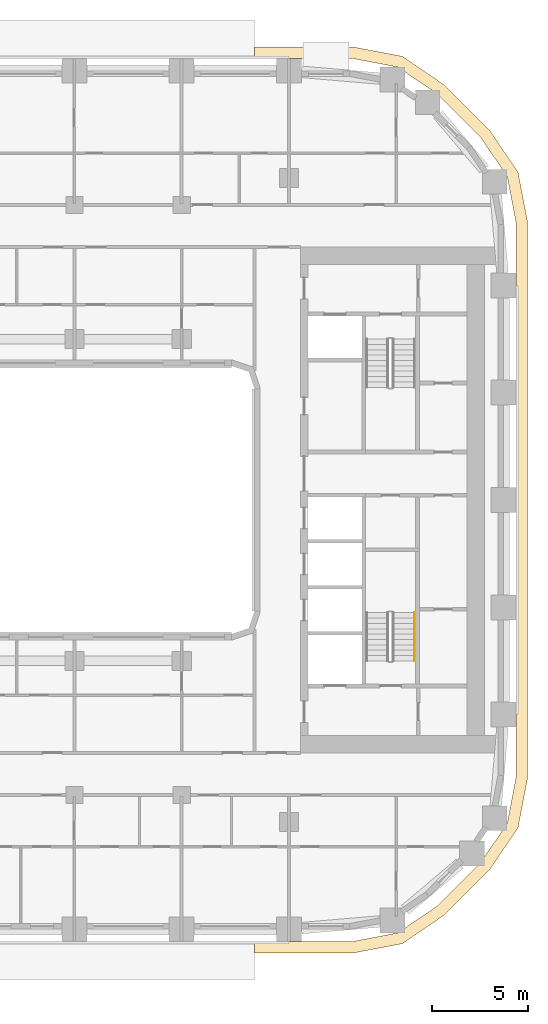
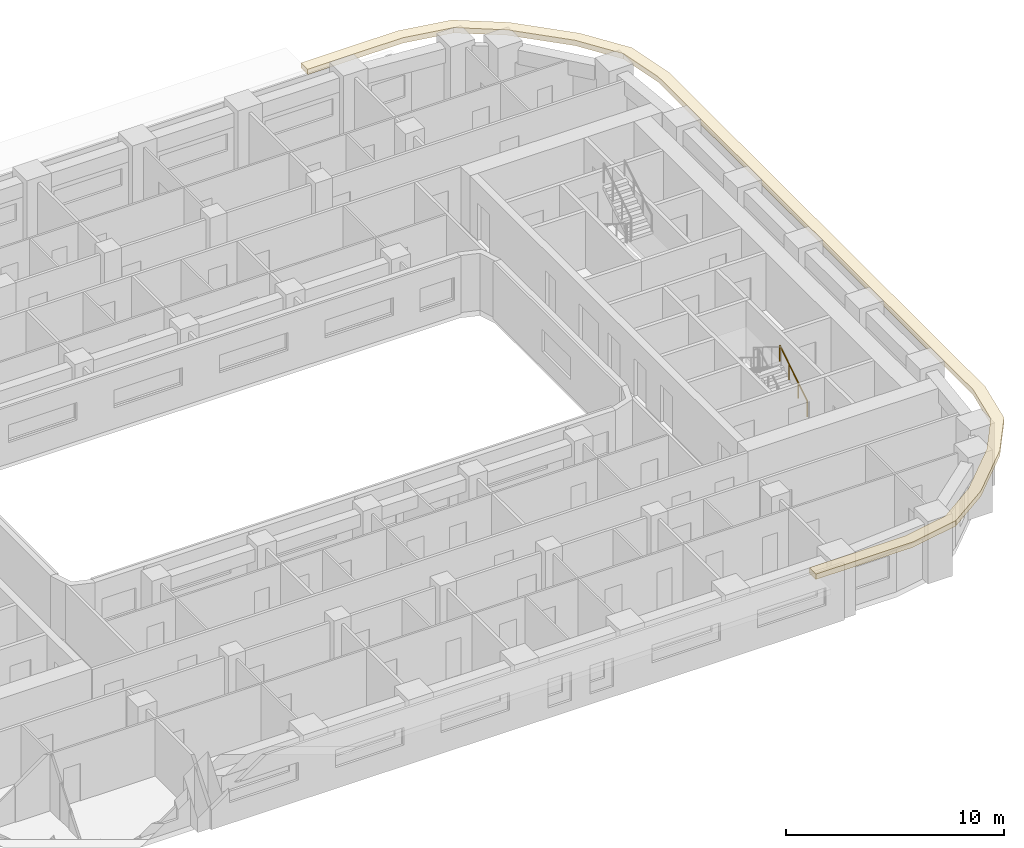
# One storey, part 17 of 21: 1 covering, 1 railing.
"""IFC4 building model written with IfcOpenShell, lengths in metres."""

from ifc_helpers import new_model, si_unit, direction, frame, origin, origin_2d, place, context, subcontext, project, spatial, polyline, circle, outline, extrude, material, layer, layer_set, type_object, element, save


model = new_model("IFC4")

# Units and contexts
model_context = context("Model", 3, precision=1e-05, world=origin(), true_north=direction((0.0, 1.0)))
body_context = subcontext(model_context, "Body", "Model", "MODEL_VIEW")
ifc_project = project(units=[si_unit("LENGTHUNIT", "METRE"), si_unit("AREAUNIT", "SQUARE_METRE"), si_unit("VOLUMEUNIT", "CUBIC_METRE"), si_unit("PLANEANGLEUNIT", "RADIAN"), si_unit("MASSUNIT", "GRAM", prefix="KILO")], contexts=[model_context])

# Site, building, storey
site_placement = place(None, origin())
site = spatial("IfcSite", under=ifc_project, at=site_placement, CompositionType="ELEMENT")
building_placement = place(site_placement, origin())
building = spatial("IfcBuilding", under=site, at=building_placement, Name="Kiln Ring Residences", CompositionType="ELEMENT")
storey_placement = place(building_placement, frame((0.0, 0.0, 100.800048828125)))
storey = spatial("IfcBuildingStorey", under=building, at=storey_placement, Name="L25", CompositionType="ELEMENT", Elevation=100.800048828125)

# Railing
ifc_material_1 = material(Name="Stainless steel", Category="steel")
railing_type = type_object("IfcRailingType", Name="CORE-STAIR-HANDRAIL", PredefinedType="HANDRAIL", material=ifc_material_1)
railing_placement = place(storey_placement, frame((23.35009765625, -8.39990234375, 0.175048828125)))
element("IfcRailing", 1, at=railing_placement, inside=storey, type_object=railing_type, Name="L25 E-STS stair handrail 1", PredefinedType="HANDRAIL", context=body_context, shape_type="SweptSolid", body=[
    extrude(circle(Radius=0.02392578125, at=origin_2d()), frame((0.0, 0.0, 0.8759765625), z_axis=(0.0, 0.848007534815, 0.529984170421), x_axis=(-1.0, 0.0, 0.0)), (0.0, 0.0, 1.0), 2.9716796875),
    extrude(circle(Radius=0.02099609375, at=origin_2d()), origin(), (0.0, 0.0, 1.0), 0.851806640625),
    extrude(circle(Radius=0.02099609375, at=origin_2d()), frame((0.0, 0.840087890625, 0.52490234375)), (0.0, 0.0, 1.0), 0.851806640625),
    extrude(circle(Radius=0.02099609375, at=origin_2d()), frame((0.0, 1.679931640625, 1.050048828125)), (0.0, 0.0, 1.0), 0.851806640625),
    extrude(circle(Radius=0.02099609375, at=origin_2d()), frame((0.0, 2.52001953125, 1.574951171875)), (0.0, 0.0, 1.0), 0.851806640625),
])

# Covering
ifc_material_2 = material(Name="Black powder-coated steel", Category="steel")
ifc_layer = layer(ifc_material_2, 0.300048828125)
ifc_layer_set = layer_set([ifc_layer], Name="SUNSHADE FIN 600")
covering_type = type_object("IfcCoveringType", Name="SUNSHADE FIN 600", PredefinedType="CLADDING", material=ifc_layer_set)
covering_placement = place(storey_placement, frame((0.0, 0.0, 3.199951171875)))
element("IfcCovering", 2, at=covering_placement, inside=storey, type_object=covering_type, Name="SUNSHADE FIN L25", PredefinedType="CLADDING", context=body_context, shape_type="SweptSolid", body=[
    extrude(outline(polyline([(20.1181640625, 23.64990234375), (15.0, 23.64990234375), (15.0, 23.050048828125), (20.061279296875, 23.050048828125), (22.478271484375, 22.589111328125), (24.51318359375, 21.2060546875), (26.805908203125, 18.9130859375), (28.18896484375, 16.87841796875), (28.64990234375, 14.46142578125), (28.64990234375, -14.46142578125), (28.18896484375, -16.87841796875), (26.805908203125, -18.9130859375), (24.51318359375, -21.2060546875), (22.478271484375, -22.589111328125), (20.061279296875, -23.050048828125), (15.0, -23.050048828125), (15.0, -23.64990234375), (20.1181640625, -23.64990234375), (22.712890625, -23.155029296875), (24.8974609375, -21.67041015625), (27.2705078125, -19.29736328125), (28.755126953125, -17.11279296875), (29.25, -14.51806640625), (29.25, 14.51806640625), (28.755126953125, 17.11279296875), (27.2705078125, 19.29736328125), (24.8974609375, 21.67041015625), (22.712890625, 23.155029296875), (20.1181640625, 23.64990234375)])), origin(), (0.0, 0.0, 1.0), 0.300048828125),
])

save(model, "model.ifc")
